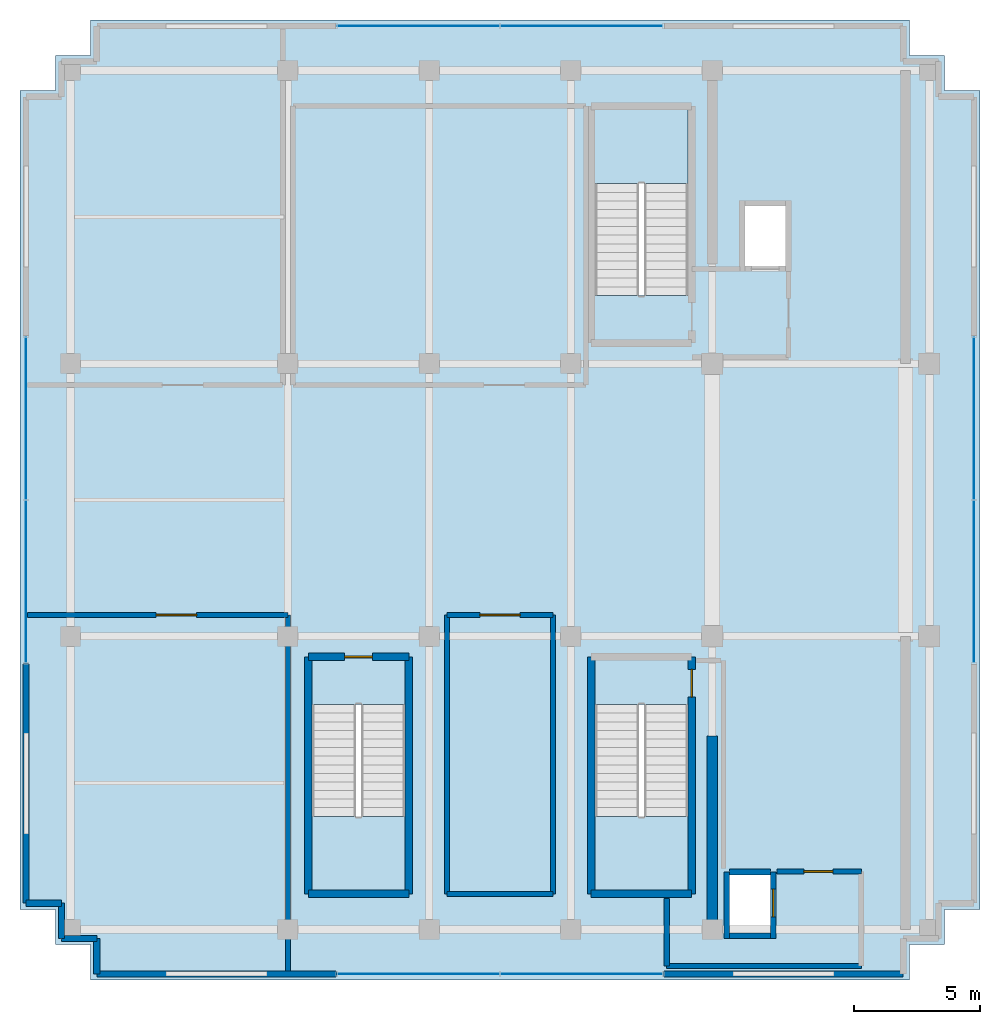
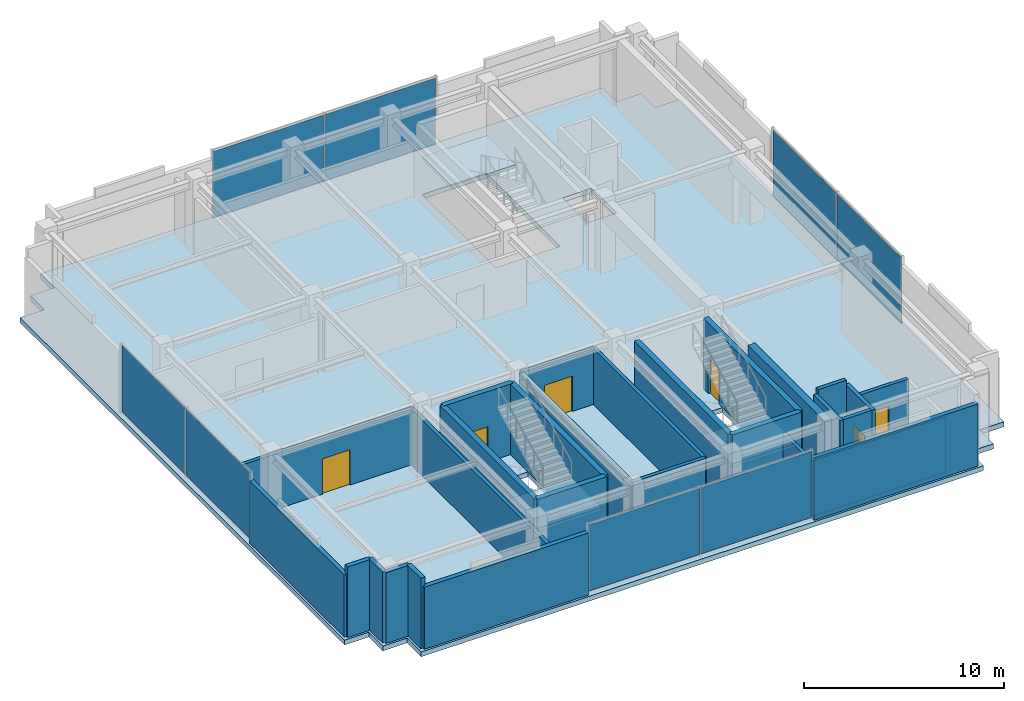
# One storey, part 14 of 18: 28 walls, 8 plates, 6 doors, 4 slabs, 6 openings, 7 elements without a shape of their own.
"""IFC4 building model written with IfcOpenShell, lengths in metres."""

from ifc_helpers import new_model, si_unit, direction, frame, frame_2d, origin, origin_2d, place, context, subcontext, project, spatial, polyline, rectangle, outline, extrude, source, transform, mapped, material, layer, layer_set, type_object, element, fill, aggregate, save


model = new_model("IFC4")

# Units and contexts
model_context = context("Model", 3, precision=1e-05, world=origin(), true_north=direction((0.0, 1.0)))
body_context = subcontext(model_context, "Body", "Model", "MODEL_VIEW")
ifc_project = project(units=[si_unit("LENGTHUNIT", "METRE"), si_unit("AREAUNIT", "SQUARE_METRE"), si_unit("VOLUMEUNIT", "CUBIC_METRE"), si_unit("PLANEANGLEUNIT", "RADIAN"), si_unit("MASSUNIT", "GRAM", prefix="KILO")], contexts=[model_context])

# Site, building, storey
site_placement = place(None, origin())
site = spatial("IfcSite", under=ifc_project, at=site_placement, CompositionType="ELEMENT")
building_placement = place(site_placement, origin())
building = spatial("IfcBuilding", under=site, at=building_placement, Name="Nahalor Promenade Grand Hotel", CompositionType="ELEMENT")
storey_placement = place(building_placement, frame((0.0, 0.0, 361.64990234375)))
storey = spatial("IfcBuildingStorey", under=building, at=storey_placement, Name="L92", CompositionType="ELEMENT", Elevation=361.64990234375)

# Stair, slab
ifc_material_1 = material(Name="Concrete B-50 (C40/50)", Category="concrete")
stair_type_1 = type_object("IfcStairType", Name="Stair-ST1", PredefinedType="HALF_TURN_STAIR", material=ifc_material_1)
stair_1_placement = place(storey_placement, origin())
stair_1 = element("IfcStair", 1, at=stair_1_placement, inside=storey, type_object=stair_type_1, Name="L92 ST1", PredefinedType="HALF_TURN_STAIR")
ifc_layer_1 = layer(ifc_material_1, 0.199951171875)
ifc_layer_set_1 = layer_set([ifc_layer_1], Name="Concrete B-50 (C40/50)")
slab_type_1 = type_object("IfcSlabType", Name="Landing-ST1", PredefinedType="LANDING", material=ifc_layer_set_1)
slab_1_placement = place(storey_placement, frame((0.0, 0.0, 2.10009765625)))
slab_1 = element("IfcSlab", 2, at=slab_1_placement, type_object=slab_type_1, Name="ST1 landing 1", PredefinedType="LANDING", context=body_context, shape_type="SweptSolid", body=[
    extrude(outline(polyline([(7.449951171875, 12.52001953125), (7.449951171875, 15.449951171875), (3.75, 15.449951171875), (3.75, 12.52001953125), (7.449951171875, 12.52001953125)])), origin(), (0.0, 0.0, 1.0), 0.199951171875),
])
aggregate(stair_1, [slab_1])

stair_type_2 = type_object("IfcStairType", Name="Stair-ST2", PredefinedType="HALF_TURN_STAIR", material=ifc_material_1)
stair_2_placement = place(storey_placement, origin())
stair_2 = element("IfcStair", 3, at=stair_2_placement, inside=storey, type_object=stair_type_2, Name="L92 ST2", PredefinedType="HALF_TURN_STAIR")
ifc_layer_2 = layer(ifc_material_1, 0.2099609375)
ifc_layer_set_2 = layer_set([ifc_layer_2], Name="Concrete B-50 (C40/50)")
slab_type_2 = type_object("IfcSlabType", Name="Landing-ST2", PredefinedType="LANDING", material=ifc_layer_set_2)
slab_2_placement = place(storey_placement, frame((0.0, 0.0, 2.090087890625)))
slab_2 = element("IfcSlab", 4, at=slab_2_placement, type_object=slab_type_2, Name="ST2 landing 1", PredefinedType="LANDING", context=body_context, shape_type="SweptSolid", body=[
    extrude(outline(polyline([(3.75, -12.52001953125), (3.75, -15.449951171875), (7.449951171875, -15.449951171875), (7.449951171875, -12.52001953125), (3.75, -12.52001953125)])), origin(), (0.0, 0.0, 1.0), 0.2099609375),
])
aggregate(stair_2, [slab_2])

stair_type_3 = type_object("IfcStairType", Name="Stair-ST3", PredefinedType="HALF_TURN_STAIR", material=ifc_material_1)
stair_3_placement = place(storey_placement, origin())
stair_3 = element("IfcStair", 5, at=stair_3_placement, inside=storey, type_object=stair_type_3, Name="L92 ST3", PredefinedType="HALF_TURN_STAIR")
ifc_layer_3 = layer(ifc_material_1, 0.219970703125)
ifc_layer_set_3 = layer_set([ifc_layer_3], Name="Concrete B-50 (C40/50)")
slab_type_3 = type_object("IfcSlabType", Name="Landing-ST3", PredefinedType="LANDING", material=ifc_layer_set_3)
slab_3_placement = place(storey_placement, frame((0.0, 0.0, 2.080078125)))
slab_3 = element("IfcSlab", 6, at=slab_3_placement, type_object=slab_type_3, Name="ST3 landing 1", PredefinedType="LANDING", context=body_context, shape_type="SweptSolid", body=[
    extrude(outline(polyline([(-7.449951171875, -12.52001953125), (-7.449951171875, -15.449951171875), (-3.75, -15.449951171875), (-3.75, -12.52001953125), (-7.449951171875, -12.52001953125)])), origin(), (0.0, 0.0, 1.0), 0.219970703125),
])
aggregate(stair_3, [slab_3])

# Slab
ifc_layer_4 = layer(ifc_material_1, 0.300048828125)
ifc_layer_set_4 = layer_set([ifc_layer_4], Name="Concrete B-50 (C40/50)")
slab_type_4 = type_object("IfcSlabType", Name="Slab-TowerZ5-300", PredefinedType="FLOOR", material=ifc_layer_set_4)
slab_4_placement = place(storey_placement, frame((0.0, 0.0, -0.2998046875)))
element("IfcSlab", 7, at=slab_4_placement, inside=storey, type_object=slab_type_4, Name="L92 Suspended Structural Floor Slab", PredefinedType="FLOOR", context=body_context, shape_type="SweptSolid", body=[
    extrude(outline(polyline([(-16.199951171875, -19.0), (16.199951171875, -19.0), (16.199951171875, -17.60009765625), (17.60009765625, -17.60009765625), (17.60009765625, -16.199951171875), (19.0, -16.199951171875), (19.0, 16.199951171875), (17.60009765625, 16.199951171875), (17.60009765625, 17.60009765625), (16.199951171875, 17.60009765625), (16.199951171875, 19.0), (-16.199951171875, 19.0), (-16.199951171875, 17.60009765625), (-17.60009765625, 17.60009765625), (-17.60009765625, 16.199951171875), (-19.0, 16.199951171875), (-19.0, -16.199951171875), (-17.60009765625, -16.199951171875), (-17.60009765625, -17.60009765625), (-16.199951171875, -17.60009765625), (-16.199951171875, -19.0)]), holes=[polyline([(3.75, 8.10009765625), (7.449951171875, 8.10009765625), (7.449951171875, 15.449951171875), (3.75, 15.449951171875), (3.75, 8.10009765625)]), polyline([(3.75, -15.449951171875), (7.449951171875, -15.449951171875), (7.449951171875, -8.10009765625), (3.75, -8.10009765625), (3.75, -15.449951171875)]), polyline([(-7.449951171875, -15.449951171875), (-3.75, -15.449951171875), (-3.75, -8.10009765625), (-7.449951171875, -8.10009765625), (-7.449951171875, -15.449951171875)]), polyline([(9.659912109375, 9.2099609375), (11.340087890625, 9.2099609375), (11.340087890625, 11.68994140625), (9.659912109375, 11.68994140625), (9.659912109375, 9.2099609375)]), polyline([(9.06005859375, -17.18994140625), (10.739990234375, -17.18994140625), (10.739990234375, -14.7099609375), (9.06005859375, -14.7099609375), (9.06005859375, -17.18994140625)])]), origin(), (0.0, 0.0, 1.0), 0.2998046875),
])

# Curtain wall, plates
ifc_material_2 = material(Name="Anodised Bronze Aluminium EN AW-6063 T6", Category="aluminium")
curtain_wall_type = type_object("IfcCurtainWallType", Name="CW6 Crown Botanical Conservatory Curtain Wall", PredefinedType="USERDEFINED", material=ifc_material_2)
curtain_wall_1_placement = place(storey_placement, origin())
curtain_wall_1 = element("IfcCurtainWall", 8, at=curtain_wall_1_placement, inside=storey, type_object=curtain_wall_type, Name="L92 Curtain Wall CW-L92-S", ObjectType="UNITISED_CURTAIN_WALL", PredefinedType="USERDEFINED")
ifc_material_3 = material(Name="Low-E Laminated Solar Glass", Category="glass")
ifc_layer_5 = layer(ifc_material_3, 0.033935546875)
ifc_layer_set_5 = layer_set([ifc_layer_5], Name="Low-E Laminated Solar Glass")
plate_type = type_object("IfcPlateType", Name="CWP6 Conservatory Solar-Select IGU 34mm", PredefinedType="CURTAIN_PANEL", material=ifc_layer_set_5)
shared_shape_1 = source(origin(), body_context, "Body", "SweptSolid", [
    extrude(rectangle(XDim=6.387451171875, YDim=0.033935546875, at=origin_2d()), origin(), (0.0, 0.0, 1.0), 4.030029296875),
])
plate_1_placement = place(storey_placement, frame((-3.231201171875, -18.760009765625, 0.13525390625), z_axis=(0.0, 0.0, 1.0), x_axis=(1.0, 0.0, 0.0)))
plate_1 = element("IfcPlate", 9, at=plate_1_placement, type_object=plate_type, Name="CW-L92-S Glazing Panel 0-0", PredefinedType="CURTAIN_PANEL", context=body_context, shape_type="MappedRepresentation", body=[
    mapped(shared_shape_1, transform((0.0, 0.0, 0.0), scale=1.0)),
])
plate_2_placement = place(storey_placement, frame((3.231201171875, -18.760009765625, 0.13525390625), z_axis=(0.0, 0.0, 1.0), x_axis=(1.0, 0.0, 0.0)))
plate_2 = element("IfcPlate", 10, at=plate_2_placement, type_object=plate_type, Name="CW-L92-S Glazing Panel 1-0", PredefinedType="CURTAIN_PANEL", context=body_context, shape_type="MappedRepresentation", body=[
    mapped(shared_shape_1, transform((0.0, 0.0, 0.0), scale=1.0)),
])
aggregate(curtain_wall_1, [plate_1, plate_2])

curtain_wall_2_placement = place(storey_placement, origin())
curtain_wall_2 = element("IfcCurtainWall", 11, at=curtain_wall_2_placement, inside=storey, type_object=curtain_wall_type, Name="L92 Curtain Wall CW-L92-N", ObjectType="UNITISED_CURTAIN_WALL", PredefinedType="USERDEFINED")
plate_3_placement = place(storey_placement, frame((-3.231201171875, 18.760009765625, 0.13525390625), z_axis=(0.0, 0.0, 1.0), x_axis=(1.0, 0.0, 0.0)))
plate_3 = element("IfcPlate", 12, at=plate_3_placement, type_object=plate_type, Name="CW-L92-N Glazing Panel 0-0", PredefinedType="CURTAIN_PANEL", context=body_context, shape_type="MappedRepresentation", body=[
    mapped(shared_shape_1, transform((0.0, 0.0, 0.0), scale=1.0)),
])
plate_4_placement = place(storey_placement, frame((3.231201171875, 18.760009765625, 0.13525390625), z_axis=(0.0, 0.0, 1.0), x_axis=(1.0, 0.0, 0.0)))
plate_4 = element("IfcPlate", 13, at=plate_4_placement, type_object=plate_type, Name="CW-L92-N Glazing Panel 1-0", PredefinedType="CURTAIN_PANEL", context=body_context, shape_type="MappedRepresentation", body=[
    mapped(shared_shape_1, transform((0.0, 0.0, 0.0), scale=1.0)),
])
aggregate(curtain_wall_2, [plate_3, plate_4])

curtain_wall_3_placement = place(storey_placement, origin())
curtain_wall_3 = element("IfcCurtainWall", 14, at=curtain_wall_3_placement, inside=storey, type_object=curtain_wall_type, Name="L92 Curtain Wall CW-L92-W", ObjectType="UNITISED_CURTAIN_WALL", PredefinedType="USERDEFINED")
plate_5_placement = place(storey_placement, frame((-18.760009765625, -3.231201171875, 0.13525390625), z_axis=(0.0, 0.0, 1.0), x_axis=(0.0, 1.0, 0.0)))
plate_5 = element("IfcPlate", 15, at=plate_5_placement, type_object=plate_type, Name="CW-L92-W Glazing Panel 0-0", PredefinedType="CURTAIN_PANEL", context=body_context, shape_type="MappedRepresentation", body=[
    mapped(shared_shape_1, transform((0.0, 0.0, 0.0), scale=1.0)),
])
plate_6_placement = place(storey_placement, frame((-18.760009765625, 3.231201171875, 0.13525390625), z_axis=(0.0, 0.0, 1.0), x_axis=(0.0, 1.0, 0.0)))
plate_6 = element("IfcPlate", 16, at=plate_6_placement, type_object=plate_type, Name="CW-L92-W Glazing Panel 1-0", PredefinedType="CURTAIN_PANEL", context=body_context, shape_type="MappedRepresentation", body=[
    mapped(shared_shape_1, transform((0.0, 0.0, 0.0), scale=1.0)),
])
aggregate(curtain_wall_3, [plate_5, plate_6])

curtain_wall_4_placement = place(storey_placement, origin())
curtain_wall_4 = element("IfcCurtainWall", 17, at=curtain_wall_4_placement, inside=storey, type_object=curtain_wall_type, Name="L92 Curtain Wall CW-L92-E", ObjectType="UNITISED_CURTAIN_WALL", PredefinedType="USERDEFINED")
plate_7_placement = place(storey_placement, frame((18.760009765625, -3.231201171875, 0.13525390625), z_axis=(0.0, 0.0, 1.0), x_axis=(0.0, 1.0, 0.0)))
plate_7 = element("IfcPlate", 18, at=plate_7_placement, type_object=plate_type, Name="CW-L92-E Glazing Panel 0-0", PredefinedType="CURTAIN_PANEL", context=body_context, shape_type="MappedRepresentation", body=[
    mapped(shared_shape_1, transform((0.0, 0.0, 0.0), scale=1.0)),
])
plate_8_placement = place(storey_placement, frame((18.760009765625, 3.231201171875, 0.13525390625), z_axis=(0.0, 0.0, 1.0), x_axis=(0.0, 1.0, 0.0)))
plate_8 = element("IfcPlate", 19, at=plate_8_placement, type_object=plate_type, Name="CW-L92-E Glazing Panel 1-0", PredefinedType="CURTAIN_PANEL", context=body_context, shape_type="MappedRepresentation", body=[
    mapped(shared_shape_1, transform((0.0, 0.0, 0.0), scale=1.0)),
])
aggregate(curtain_wall_4, [plate_7, plate_8])

# Walls
ifc_layer_6 = layer(ifc_material_1, 0.39990234375)
ifc_layer_set_6 = layer_set([ifc_layer_6], Name="Concrete B-50 (C40/50)")
wall_type_1 = type_object("IfcWallType", Name="Wall-CoreShear-400", PredefinedType="SHEAR", material=ifc_layer_set_6)
shared_shape_2 = source(origin(), body_context, "Body", "SweptSolid", [
    extrude(rectangle(XDim=7.64990234375, YDim=0.39990234375, at=frame_2d((3.824951171875, 0.0))), origin(), (0.0, 0.0, 1.0), 4.300048828125),
])
wall_1_placement = place(storey_placement, frame((8.39990234375, -17.0, 0.0), z_axis=(0.0, 0.0, 1.0), x_axis=(0.0, 1.0, 0.0)))
element("IfcWall", 20, at=wall_1_placement, inside=storey, type_object=wall_type_1, Name="CWALL-L92-SW", PredefinedType="SHEAR", context=body_context, shape_type="MappedRepresentation", body=[
    mapped(shared_shape_2, transform((0.0, 0.0, 0.0), scale=1.0)),
])
ifc_layer_7 = layer(ifc_material_1, 0.300048828125)
ifc_layer_set_7 = layer_set([ifc_layer_7], Name="Concrete B-50 (C40/50)")
wall_type_2 = type_object("IfcWallType", Name="Wall-ShaftShear-300", PredefinedType="SHEAR", material=ifc_layer_set_7)
shared_shape_3 = source(origin(), body_context, "Body", "SweptSolid", [
    extrude(rectangle(XDim=3.97998046875, YDim=0.300048828125, at=frame_2d((1.989990234375, 0.0))), origin(), (0.0, 0.0, 1.0), 4.300048828125),
])
for number, where, z_axis, x_axis, name in (
    (21, (3.610107421875, -15.590087890625, 0.0), (0.0, 0.0, 1.0), (1.0, 0.0, 0.0), "L92 Exit Stair ST2 Shaft Wall S"),
    (22, (-7.590087890625, -15.590087890625, 0.0), (0.0, 0.0, 1.0), (1.0, 0.0, 0.0), "L92 Exit Stair ST3 Shaft Wall S"),
):
    element("IfcWall", number, at=place(storey_placement, frame(where, z_axis=z_axis, x_axis=x_axis)), inside=storey, type_object=wall_type_2, Name=name, PredefinedType="SHEAR", context=body_context, shape_type="MappedRepresentation", body=[
        mapped(shared_shape_3, transform((0.0, 0.0, 0.0), scale=1.0)),
    ])

# Wall, opening, door
wall_2_placement = place(storey_placement, frame((-7.590087890625, -6.2099609375, 0.0), z_axis=(0.0, 0.0, 1.0), x_axis=(1.0, 0.0, 0.0)))
wall_2 = element("IfcWall", 23, at=wall_2_placement, inside=storey, type_object=wall_type_2, Name="L92 Exit Stair ST3 Shaft Wall N", PredefinedType="SHEAR", context=body_context, shape_type="MappedRepresentation", body=[
    mapped(shared_shape_3, transform((0.0, 0.0, 0.0), scale=1.0)),
])
opening_1_placement = place(wall_2_placement, frame((1.43994140625, 0.0, 0.0)))
opening_1 = element("IfcOpeningElement", 24, at=opening_1_placement, cuts=wall_2, Name="Opening D-ST1", PredefinedType="OPENING", context=body_context, shape_type="SweptSolid", body=[
    extrude(rectangle(XDim=1.10009765625, YDim=2.14990234375, at=frame_2d((0.550048828125, 1.074951171875))), frame((0.0, 0.159912109375, 0.0), z_axis=(0.0, -1.0, 0.0), x_axis=(1.0, 0.0, 0.0)), (0.0, 0.0, 1.0), 0.320068359375),
])
ifc_material_4 = material(Name="Steel S355JR", Category="steel")
door_type_1 = type_object("IfcDoorType", Name="Door-StairFire-1100", OperationType="NOTDEFINED", PredefinedType="DOOR", material=ifc_material_4)
shared_shape_4 = source(origin(), body_context, "Body", "SweptSolid", [
    extrude(rectangle(XDim=1.10009765625, YDim=2.14990234375, at=frame_2d((0.550048828125, 1.074951171875))), frame((0.0, 0.02490234375, 0.0), z_axis=(0.0, -1.0, 0.0), x_axis=(1.0, 0.0, 0.0)), (0.0, 0.0, 1.0), 0.050048828125),
])
door_1_placement = place(opening_1_placement, frame((1.10009765625, 0.0, 0.0), z_axis=(0.0, 0.0, 1.0), x_axis=(-1.0, 0.0, 0.0)))
door_1 = element("IfcDoor", 25, at=door_1_placement, inside=storey, type_object=door_type_1, Name="DR-STAIR-ST3-L92", OperationType="SINGLE_SWING_LEFT", OverallHeight=2.14990234375, OverallWidth=1.10009765625, PredefinedType="DOOR", context=body_context, shape_type="MappedRepresentation", body=[
    mapped(shared_shape_4, transform((0.0, 0.0, 0.0), scale=1.0)),
])
fill(opening_1, door_1)

# Wall
shared_shape_5 = source(origin(), body_context, "Body", "SweptSolid", [
    extrude(rectangle(XDim=9.380126953125, YDim=0.300048828125, at=frame_2d((4.68994140625, 0.0))), origin(), (0.0, 0.0, 1.0), 4.300048828125),
])
wall_3_placement = place(storey_placement, frame((3.610107421875, -15.590087890625, 0.0), z_axis=(0.0, 0.0, 1.0), x_axis=(0.0, 1.0, 0.0)))
element("IfcWall", 26, at=wall_3_placement, inside=storey, type_object=wall_type_2, Name="L92 Exit Stair ST2 Shaft Wall W", PredefinedType="SHEAR", context=body_context, shape_type="MappedRepresentation", body=[
    mapped(shared_shape_5, transform((0.0, 0.0, 0.0), scale=1.0)),
])

# Wall, opening, door
wall_4_placement = place(storey_placement, frame((7.590087890625, -15.590087890625, 0.0), z_axis=(0.0, 0.0, 1.0), x_axis=(0.0, 1.0, 0.0)))
wall_4 = element("IfcWall", 27, at=wall_4_placement, inside=storey, type_object=wall_type_2, Name="L92 Exit Stair ST2 Shaft Wall E", PredefinedType="SHEAR", context=body_context, shape_type="MappedRepresentation", body=[
    mapped(shared_shape_5, transform((0.0, 0.0, 0.0), scale=1.0)),
])
opening_2_placement = place(wall_4_placement, frame((7.7900390625, 0.0, 0.0)))
opening_2 = element("IfcOpeningElement", 28, at=opening_2_placement, cuts=wall_4, Name="Opening D-ST1", PredefinedType="OPENING", context=body_context, shape_type="SweptSolid", body=[
    extrude(rectangle(XDim=1.10009765625, YDim=2.14990234375, at=frame_2d((0.550048828125, 1.074951171875))), frame((0.0, 0.159912109375, 0.0), z_axis=(0.0, -1.0, 0.0), x_axis=(1.0, 0.0, 0.0)), (0.0, 0.0, 1.0), 0.320068359375),
])
door_2_placement = place(opening_2_placement, origin())
door_2 = element("IfcDoor", 29, at=door_2_placement, inside=storey, type_object=door_type_1, Name="DR-STAIR-ST2-L92", OperationType="SINGLE_SWING_LEFT", OverallHeight=2.14990234375, OverallWidth=1.10009765625, PredefinedType="DOOR", context=body_context, shape_type="MappedRepresentation", body=[
    mapped(shared_shape_4, transform((0.0, 0.0, 0.0), scale=1.0)),
])
fill(opening_2, door_2)

# Walls
for number, where, z_axis, x_axis, name in (
    (30, (-7.590087890625, -15.590087890625, 0.0), (0.0, 0.0, 1.0), (0.0, 1.0, 0.0), "L92 Exit Stair ST3 Shaft Wall W"),
    (31, (-3.610107421875, -15.590087890625, 0.0), (0.0, 0.0, 1.0), (0.0, 1.0, 0.0), "L92 Exit Stair ST3 Shaft Wall E"),
):
    element("IfcWall", number, at=place(storey_placement, frame(where, z_axis=z_axis, x_axis=x_axis)), inside=storey, type_object=wall_type_2, Name=name, PredefinedType="SHEAR", context=body_context, shape_type="MappedRepresentation", body=[
        mapped(shared_shape_5, transform((0.0, 0.0, 0.0), scale=1.0)),
    ])
ifc_layer_8 = layer(ifc_material_1, 0.219970703125)
ifc_layer_set_8 = layer_set([ifc_layer_8], Name="Concrete B-50 (C40/50)")
wall_type_3 = type_object("IfcWallType", Name="Wall-LiftShaft-220", PredefinedType="SHEAR", material=ifc_layer_set_8)
shared_shape_6 = source(origin(), body_context, "Body", "SweptSolid", [
    extrude(rectangle(XDim=2.635009765625, YDim=0.219970703125, at=frame_2d((1.3173828125, 0.0))), origin(), (0.0, 0.0, 1.0), 4.300048828125),
])
wall_5_placement = place(storey_placement, frame((8.97998046875, -17.360107421875, 0.0), z_axis=(0.0, 0.0, 1.0), x_axis=(0.0, 1.0, 0.0)))
element("IfcWall", 32, at=wall_5_placement, inside=storey, type_object=wall_type_3, Name="L92 Lift FL2 Hoistway Wall W", PredefinedType="SHEAR", context=body_context, shape_type="MappedRepresentation", body=[
    mapped(shared_shape_6, transform((0.0, 0.0, 0.0), scale=1.0)),
])

# Wall, opening, door
wall_6_placement = place(storey_placement, frame((10.820068359375, -17.360107421875, 0.0), z_axis=(0.0, 0.0, 1.0), x_axis=(0.0, 1.0, 0.0)))
wall_6 = element("IfcWall", 33, at=wall_6_placement, inside=storey, type_object=wall_type_3, Name="L92 Lift FL2 Hoistway Wall E", PredefinedType="SHEAR", context=body_context, shape_type="MappedRepresentation", body=[
    mapped(shared_shape_6, transform((0.0, 0.0, 0.0), scale=1.0)),
])
opening_3_placement = place(wall_6_placement, frame((0.860107421875, 0.0, 0.0)))
opening_3 = element("IfcOpeningElement", 34, at=opening_3_placement, cuts=wall_6, Name="Opening LD-02", PredefinedType="OPENING", context=body_context, shape_type="SweptSolid", body=[
    extrude(rectangle(XDim=1.10009765625, YDim=2.199951171875, at=frame_2d((0.550048828125, 1.10009765625))), frame((0.0, 0.119873046875, 0.0), z_axis=(0.0, -1.0, 0.0), x_axis=(1.0, 0.0, 0.0)), (0.0, 0.0, 1.0), 0.239990234375),
])
door_type_2 = type_object("IfcDoorType", Name="Door-LiftFF-1100", OperationType="DOUBLE_DOOR_SLIDING", PredefinedType="DOOR", material=ifc_material_4)
shared_shape_7 = source(origin(), body_context, "Body", "SweptSolid", [
    extrude(rectangle(XDim=1.10009765625, YDim=2.199951171875, at=frame_2d((0.550048828125, 1.10009765625))), frame((0.0, 0.02490234375, 0.0), z_axis=(0.0, -1.0, 0.0), x_axis=(1.0, 0.0, 0.0)), (0.0, 0.0, 1.0), 0.050048828125),
])
door_3_placement = place(opening_3_placement, frame((1.10009765625, 0.0, 0.0), z_axis=(0.0, 0.0, 1.0), x_axis=(-1.0, 0.0, 0.0)))
door_3 = element("IfcDoor", 35, at=door_3_placement, inside=storey, type_object=door_type_2, Name="DR-LIFT-FL2-L92", OperationType="DOUBLE_DOOR_SLIDING", OverallHeight=2.199951171875, OverallWidth=1.10009765625, PredefinedType="DOOR", context=body_context, shape_type="MappedRepresentation", body=[
    mapped(shared_shape_7, transform((0.0, 0.0, 0.0), scale=1.0)),
])
fill(opening_3, door_3)

# Walls
shared_shape_8 = source(origin(), body_context, "Body", "SweptSolid", [
    extrude(rectangle(XDim=1.619873046875, YDim=0.219970703125, at=frame_2d((0.81005859375, 0.0))), origin(), (0.0, 0.0, 1.0), 4.300048828125),
])
wall_7_placement = place(storey_placement, frame((9.090087890625, -17.25, 0.0), z_axis=(0.0, 0.0, 1.0), x_axis=(1.0, 0.0, 0.0)))
element("IfcWall", 36, at=wall_7_placement, inside=storey, type_object=wall_type_3, Name="L92 Lift FL2 Hoistway Wall S", PredefinedType="SHEAR", context=body_context, shape_type="MappedRepresentation", body=[
    mapped(shared_shape_8, transform((0.0, 0.0, 0.0), scale=1.0)),
])
shared_shape_9 = source(origin(), body_context, "Body", "SweptSolid", [
    extrude(rectangle(XDim=1.619873046875, YDim=0.219970703125, at=frame_2d((0.81005859375, 0.0))), origin(), (0.0, 0.0, 1.0), 4.60009765625),
])
wall_8_placement = place(storey_placement, frame((9.090087890625, -14.72509765625, 0.0), z_axis=(0.0, 0.0, 1.0), x_axis=(1.0, 0.0, 0.0)))
element("IfcWall", 37, at=wall_8_placement, inside=storey, type_object=wall_type_3, Name="L92 Lift FL2 Hoistway Wall N", PredefinedType="SHEAR", context=body_context, shape_type="MappedRepresentation", body=[
    mapped(shared_shape_9, transform((0.0, 0.0, 0.0), scale=1.0)),
])
ifc_material_5 = material(Name="Concrete B-40 (C32/40)", Category="concrete")
ifc_layer_9 = layer(ifc_material_5, 0.25)
ifc_layer_set_9 = layer_set([ifc_layer_9], Name="Concrete B-40 (C32/40)")
wall_type_4 = type_object("IfcWallType", Name="Wall-BronzePier-250", PredefinedType="STANDARD", material=ifc_layer_set_9)
shared_shape_10 = source(origin(), body_context, "Body", "SweptSolid", [
    extrude(rectangle(XDim=1.39990234375, YDim=0.25, at=frame_2d((0.699951171875, 0.0))), origin(), (0.0, 0.0, 1.0), 4.300048828125),
])
for number, where, z_axis, x_axis, name in (
    (38, (-18.760009765625, -15.9599609375, 0.0), (0.0, 0.0, 1.0), (1.0, 0.0, 0.0), "W-L92-SR-13"),
    (39, (-15.9599609375, -18.760009765625, 0.0), (0.0, 0.0, 1.0), (0.0, 1.0, 0.0), "W-L92-SR-16"),
):
    element("IfcWall", number, at=place(storey_placement, frame(where, z_axis=z_axis, x_axis=x_axis)), inside=storey, type_object=wall_type_4, Name=name, PredefinedType="STANDARD", context=body_context, shape_type="MappedRepresentation", body=[
        mapped(shared_shape_10, transform((0.0, 0.0, 0.0), scale=1.0)),
    ])
shared_shape_11 = source(origin(), body_context, "Body", "SweptSolid", [
    extrude(rectangle(XDim=1.400146484375, YDim=0.25, at=frame_2d((0.7001953125, 0.0))), origin(), (0.0, 0.0, 1.0), 4.300048828125),
])
for number, where, z_axis, x_axis, name in (
    (40, (-17.360107421875, -17.360107421875, 0.0), (0.0, 0.0, 1.0), (0.0, 1.0, 0.0), "W-L92-SR-14"),
    (41, (-17.360107421875, -17.360107421875, 0.0), (0.0, 0.0, 1.0), (1.0, 0.0, 0.0), "W-L92-SR-15"),
):
    element("IfcWall", number, at=place(storey_placement, frame(where, z_axis=z_axis, x_axis=x_axis)), inside=storey, type_object=wall_type_4, Name=name, PredefinedType="STANDARD", context=body_context, shape_type="MappedRepresentation", body=[
        mapped(shared_shape_11, transform((0.0, 0.0, 0.0), scale=1.0)),
    ])
shared_shape_12 = source(origin(), body_context, "Body", "SweptSolid", [
    extrude(rectangle(XDim=9.4599609375, YDim=0.25, at=frame_2d((4.72998046875, 0.0))), origin(), (0.0, 0.0, 1.0), 3.780029296875),
])
for number, where, z_axis, x_axis, name in (
    (42, (-15.9599609375, -18.760009765625, 0.0), (0.0, 0.0, 1.0), (1.0, 0.0, 0.0), "W-L92-PL-SL"),
    (43, (6.5, -18.760009765625, 0.0), (0.0, 0.0, 1.0), (1.0, 0.0, 0.0), "W-L92-PL-SR"),
    (44, (-18.760009765625, -15.9599609375, 0.0), (0.0, 0.0, 1.0), (0.0, 1.0, 0.0), "W-L92-PL-WL"),
):
    element("IfcWall", number, at=place(storey_placement, frame(where, z_axis=z_axis, x_axis=x_axis)), inside=storey, type_object=wall_type_4, Name=name, PredefinedType="STANDARD", context=body_context, shape_type="MappedRepresentation", body=[
        mapped(shared_shape_12, transform((0.0, 0.0, 0.0), scale=1.0)),
    ])
ifc_layer_10 = layer(ifc_material_5, 0.199951171875)
ifc_layer_set_10 = layer_set([ifc_layer_10], Name="Concrete B-40 (C32/40)")
wall_type_5 = type_object("IfcWallType", Name="Wall-PartFire-200", PredefinedType="PARTITIONING", material=ifc_layer_set_10)
shared_shape_13 = source(origin(), body_context, "Body", "SweptSolid", [
    extrude(rectangle(XDim=7.699951171875, YDim=0.199951171875, at=frame_2d((3.85009765625, 0.0))), origin(), (0.0, 0.0, 1.0), 3.400146484375),
])
wall_9_placement = place(storey_placement, frame((6.60009765625, -18.449951171875, 0.0), z_axis=(0.0, 0.0, 1.0), x_axis=(1.0, 0.0, 0.0)))
element("IfcWall", 45, at=wall_9_placement, inside=storey, type_object=wall_type_5, Name="W-L92-FF2-S1", PredefinedType="PARTITIONING", context=body_context, shape_type="MappedRepresentation", body=[
    mapped(shared_shape_13, transform((0.0, 0.0, 0.0), scale=1.0)),
])
shared_shape_14 = source(origin(), body_context, "Body", "SweptSolid", [
    extrude(rectangle(XDim=2.679931640625, YDim=0.199951171875, at=frame_2d((1.33984375, 0.0))), origin(), (0.0, 0.0, 1.0), 3.400146484375),
])
wall_10_placement = place(storey_placement, frame((6.60009765625, -18.449951171875, 0.0), z_axis=(0.0, 0.0, 1.0), x_axis=(0.0, 1.0, 0.0)))
element("IfcWall", 46, at=wall_10_placement, inside=storey, type_object=wall_type_5, Name="W-L92-FF2-W1", PredefinedType="PARTITIONING", context=body_context, shape_type="MappedRepresentation", body=[
    mapped(shared_shape_14, transform((0.0, 0.0, 0.0), scale=1.0)),
])

# Wall, opening, door
shared_shape_15 = source(origin(), body_context, "Body", "SweptSolid", [
    extrude(rectangle(XDim=3.340087890625, YDim=0.199951171875, at=frame_2d((1.669921875, 0.0))), origin(), (0.0, 0.0, 1.0), 3.400146484375),
])
wall_11_placement = place(storey_placement, frame((10.9599609375, -14.699951171875, 0.0), z_axis=(0.0, 0.0, 1.0), x_axis=(1.0, 0.0, 0.0)))
wall_11 = element("IfcWall", 47, at=wall_11_placement, inside=storey, type_object=wall_type_5, Name="W-L92-FF2-N1", PredefinedType="PARTITIONING", context=body_context, shape_type="MappedRepresentation", body=[
    mapped(shared_shape_15, transform((0.0, 0.0, 0.0), scale=1.0)),
])
opening_4_placement = place(wall_11_placement, frame((1.06494140625, 0.0, 0.0)))
opening_4 = element("IfcOpeningElement", 48, at=opening_4_placement, cuts=wall_11, Name="Opening D-FF1", PredefinedType="OPENING", context=body_context, shape_type="SweptSolid", body=[
    extrude(rectangle(XDim=1.14990234375, YDim=2.14990234375, at=frame_2d((0.574951171875, 1.074951171875))), frame((0.0, 0.10986328125, 0.0), z_axis=(0.0, -1.0, 0.0), x_axis=(1.0, 0.0, 0.0)), (0.0, 0.0, 1.0), 0.219970703125),
])
door_type_3 = type_object("IfcDoorType", Name="Door-FFLobby-1150", OperationType="NOTDEFINED", PredefinedType="DOOR", material=ifc_material_4)
shared_shape_16 = source(origin(), body_context, "Body", "SweptSolid", [
    extrude(rectangle(XDim=1.14990234375, YDim=2.14990234375, at=frame_2d((0.574951171875, 1.074951171875))), frame((0.0, 0.02490234375, 0.0), z_axis=(0.0, -1.0, 0.0), x_axis=(1.0, 0.0, 0.0)), (0.0, 0.0, 1.0), 0.050048828125),
])
door_4_placement = place(opening_4_placement, origin())
door_4 = element("IfcDoor", 49, at=door_4_placement, inside=storey, type_object=door_type_3, Name="DR-L92-FFL2", OperationType="SINGLE_SWING_RIGHT", OverallHeight=2.14990234375, OverallWidth=1.14990234375, PredefinedType="DOOR", context=body_context, shape_type="MappedRepresentation", body=[
    mapped(shared_shape_16, transform((0.0, 0.0, 0.0), scale=1.0)),
])
fill(opening_4, door_4)

# Walls
shared_shape_17 = source(origin(), body_context, "Body", "SweptSolid", [
    extrude(rectangle(XDim=14.14990234375, YDim=0.199951171875, at=frame_2d((7.074951171875, 0.0))), origin(), (0.0, 0.0, 1.0), 3.400146484375),
])
wall_12_placement = place(storey_placement, frame((-8.39990234375, -18.699951171875, 0.0), z_axis=(0.0, 0.0, 1.0), x_axis=(0.0, 1.0, 0.0)))
element("IfcWall", 50, at=wall_12_placement, inside=storey, type_object=wall_type_5, Name="W-L92-MP3-E", PredefinedType="PARTITIONING", context=body_context, shape_type="MappedRepresentation", body=[
    mapped(shared_shape_17, transform((0.0, 0.0, 0.0), scale=1.0)),
])
shared_shape_18 = source(origin(), body_context, "Body", "SweptSolid", [
    extrude(rectangle(XDim=11.050048828125, YDim=0.199951171875, at=frame_2d((5.52490234375, 0.0))), origin(), (0.0, 0.0, 1.0), 3.400146484375),
])
for number, where, z_axis, x_axis, name in (
    (51, (-2.10009765625, -15.60009765625, 0.0), (0.0, 0.0, 1.0), (0.0, 1.0, 0.0), "W-L92-MP4-W"),
    (52, (2.10009765625, -15.60009765625, 0.0), (0.0, 0.0, 1.0), (0.0, 1.0, 0.0), "W-L92-MP4-E"),
):
    element("IfcWall", number, at=place(storey_placement, frame(where, z_axis=z_axis, x_axis=x_axis)), inside=storey, type_object=wall_type_5, Name=name, PredefinedType="PARTITIONING", context=body_context, shape_type="MappedRepresentation", body=[
        mapped(shared_shape_18, transform((0.0, 0.0, 0.0), scale=1.0)),
    ])

# Wall, opening, door
shared_shape_19 = source(origin(), body_context, "Body", "SweptSolid", [
    extrude(rectangle(XDim=10.300048828125, YDim=0.199951171875, at=frame_2d((5.14990234375, 0.0))), origin(), (0.0, 0.0, 1.0), 3.400146484375),
])
wall_13_placement = place(storey_placement, frame((-18.699951171875, -4.550048828125, 0.0), z_axis=(0.0, 0.0, 1.0), x_axis=(1.0, 0.0, 0.0)))
wall_13 = element("IfcWall", 53, at=wall_13_placement, inside=storey, type_object=wall_type_5, Name="W-L92-MP3-N", PredefinedType="PARTITIONING", context=body_context, shape_type="MappedRepresentation", body=[
    mapped(shared_shape_19, transform((0.0, 0.0, 0.0), scale=1.0)),
])
opening_5_placement = place(wall_13_placement, frame((5.093017578125, 0.0, 0.0)))
opening_5 = element("IfcOpeningElement", 54, at=opening_5_placement, cuts=wall_13, Name="Opening D-06", PredefinedType="OPENING", context=body_context, shape_type="SweptSolid", body=[
    extrude(rectangle(XDim=1.60009765625, YDim=2.14990234375, at=frame_2d((0.800048828125, 1.074951171875))), frame((0.0, 0.10986328125, 0.0), z_axis=(0.0, -1.0, 0.0), x_axis=(1.0, 0.0, 0.0)), (0.0, 0.0, 1.0), 0.219970703125),
])
door_type_4 = type_object("IfcDoorType", Name="Door-PlantDouble-1600", OperationType="DOUBLE_DOOR_SINGLE_SWING", PredefinedType="DOOR", material=ifc_material_4)
shared_shape_20 = source(origin(), body_context, "Body", "SweptSolid", [
    extrude(rectangle(XDim=1.60009765625, YDim=2.14990234375, at=frame_2d((0.800048828125, 1.074951171875))), frame((0.0, 0.02490234375, 0.0), z_axis=(0.0, -1.0, 0.0), x_axis=(1.0, 0.0, 0.0)), (0.0, 0.0, 1.0), 0.050048828125),
])
door_5_placement = place(opening_5_placement, frame((1.60009765625, 0.0, 0.0), z_axis=(0.0, 0.0, 1.0), x_axis=(-1.0, 0.0, 0.0)))
door_5 = element("IfcDoor", 55, at=door_5_placement, inside=storey, type_object=door_type_4, Name="DR-L92-MP3", OperationType="DOUBLE_DOOR_SINGLE_SWING", OverallHeight=2.14990234375, OverallWidth=1.60009765625, PredefinedType="DOOR", context=body_context, shape_type="MappedRepresentation", body=[
    mapped(shared_shape_20, transform((0.0, 0.0, 0.0), scale=1.0)),
])
fill(opening_5, door_5)

# Wall
shared_shape_21 = source(origin(), body_context, "Body", "SweptSolid", [
    extrude(rectangle(XDim=4.2001953125, YDim=0.199951171875, at=frame_2d((2.10009765625, 0.0))), origin(), (0.0, 0.0, 1.0), 3.400146484375),
])
wall_14_placement = place(storey_placement, frame((-2.10009765625, -15.60009765625, 0.0), z_axis=(0.0, 0.0, 1.0), x_axis=(1.0, 0.0, 0.0)))
element("IfcWall", 56, at=wall_14_placement, inside=storey, type_object=wall_type_5, Name="W-L92-MP4-S", PredefinedType="PARTITIONING", context=body_context, shape_type="MappedRepresentation", body=[
    mapped(shared_shape_21, transform((0.0, 0.0, 0.0), scale=1.0)),
])

# Wall, opening, door
wall_15_placement = place(storey_placement, frame((-2.10009765625, -4.550048828125, 0.0), z_axis=(0.0, 0.0, 1.0), x_axis=(1.0, 0.0, 0.0)))
wall_15 = element("IfcWall", 57, at=wall_15_placement, inside=storey, type_object=wall_type_5, Name="W-L92-MP4-N", PredefinedType="PARTITIONING", context=body_context, shape_type="MappedRepresentation", body=[
    mapped(shared_shape_21, transform((0.0, 0.0, 0.0), scale=1.0)),
])
opening_6_placement = place(wall_15_placement, frame((1.300048828125, 0.0, 0.0)))
opening_6 = element("IfcOpeningElement", 58, at=opening_6_placement, cuts=wall_15, Name="Opening D-06", PredefinedType="OPENING", context=body_context, shape_type="SweptSolid", body=[
    extrude(rectangle(XDim=1.60009765625, YDim=2.14990234375, at=frame_2d((0.800048828125, 1.074951171875))), frame((0.0, 0.10986328125, 0.0), z_axis=(0.0, -1.0, 0.0), x_axis=(1.0, 0.0, 0.0)), (0.0, 0.0, 1.0), 0.219970703125),
])
door_6_placement = place(opening_6_placement, frame((1.60009765625, 0.0, 0.0), z_axis=(0.0, 0.0, 1.0), x_axis=(-1.0, 0.0, 0.0)))
door_6 = element("IfcDoor", 59, at=door_6_placement, inside=storey, type_object=door_type_4, Name="DR-L92-MP4", OperationType="DOUBLE_DOOR_SINGLE_SWING", OverallHeight=2.14990234375, OverallWidth=1.60009765625, PredefinedType="DOOR", context=body_context, shape_type="MappedRepresentation", body=[
    mapped(shared_shape_20, transform((0.0, 0.0, 0.0), scale=1.0)),
])
fill(opening_6, door_6)

save(model, "model.ifc")
